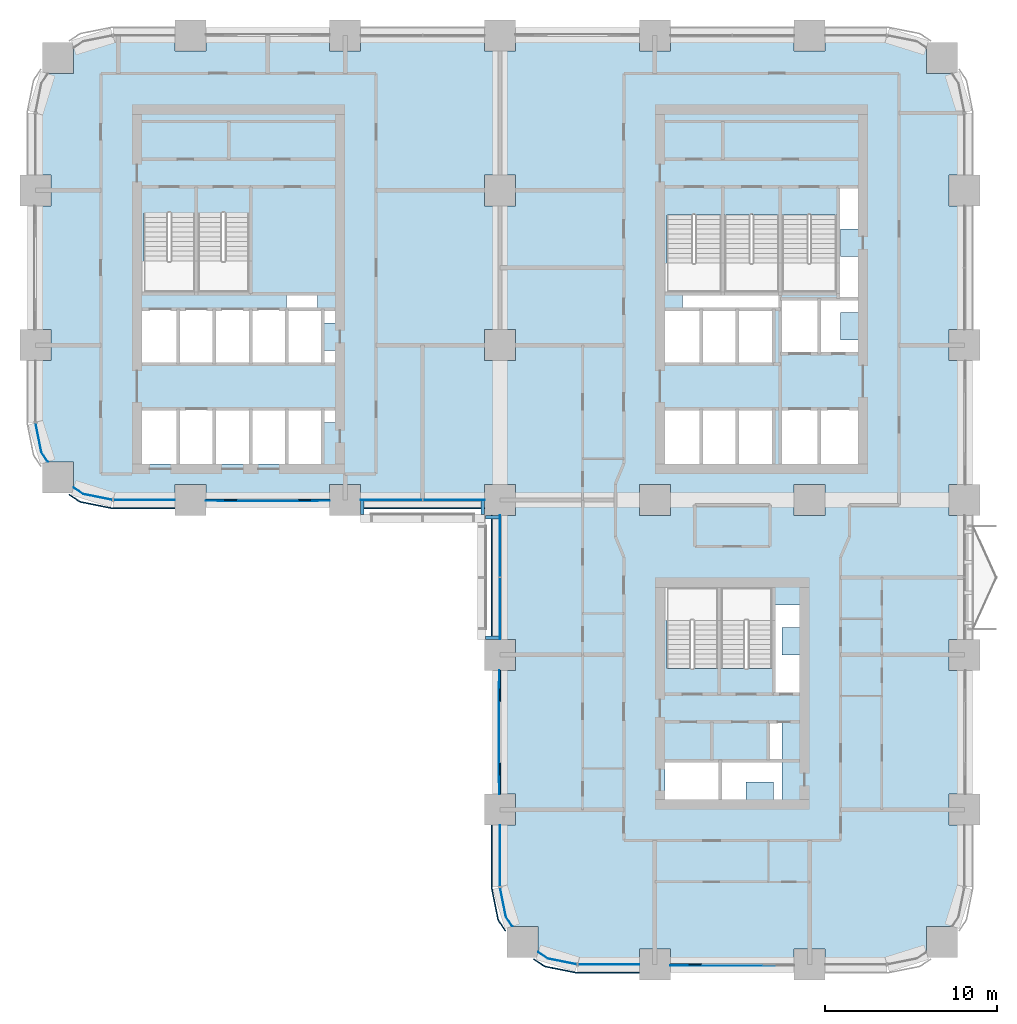
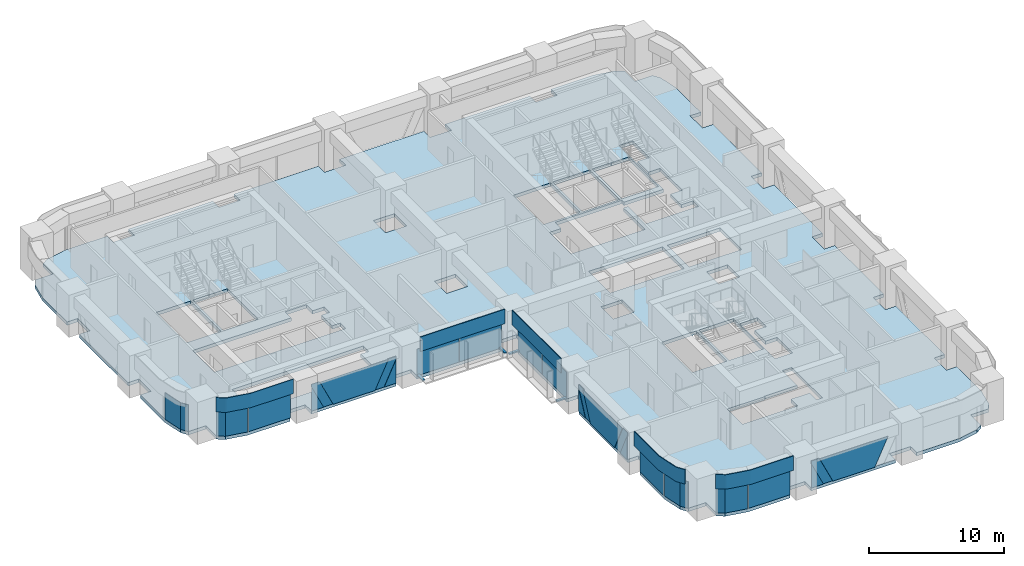
# One storey, part 9 of 18: 29 plates, 4 beams, 1 slab, 9 elements without a shape of their own.
"""IFC4 building model written with IfcOpenShell, lengths in metres."""

from ifc_helpers import new_model, si_unit, direction, frame, origin, origin_2d, place, context, subcontext, project, spatial, polyline, rectangle, outline, extrude, material, layer, layer_set, material_profile, profile_set, type_object, element, aggregate, save


model = new_model("IFC4")

# Units and contexts
model_context = context("Model", 3, precision=1e-05, world=origin(), true_north=direction((0.0, 1.0)))
body_context = subcontext(model_context, "Body", "Model", "MODEL_VIEW")
ifc_project = project(units=[si_unit("LENGTHUNIT", "METRE"), si_unit("AREAUNIT", "SQUARE_METRE"), si_unit("VOLUMEUNIT", "CUBIC_METRE"), si_unit("PLANEANGLEUNIT", "RADIAN"), si_unit("MASSUNIT", "GRAM", prefix="KILO")], contexts=[model_context])

# Site, building, storey
site_placement = place(None, origin())
site = spatial("IfcSite", under=ifc_project, at=site_placement, CompositionType="ELEMENT")
building_placement = place(site_placement, origin())
building = spatial("IfcBuilding", under=site, at=building_placement, Name="Tessera Arch", CompositionType="ELEMENT")
storey_placement = place(building_placement, frame((0.0, 0.0, 104.39990234375)))
storey = spatial("IfcBuildingStorey", under=building, at=storey_placement, Name="L24", CompositionType="ELEMENT", Elevation=104.39990234375)

# Beams
ifc_material_1 = material(Name="Aluminium alloy 6063-T6", Category="aluminium")
ifc_material_profile = material_profile(ifc_material_1, rectangle(XDim=0.199951171875, YDim=0.1201171875, at=origin_2d()), Name="AL 200x120")
ifc_profile_set = profile_set([ifc_material_profile], Name="Aluminium alloy 6063-T6")
beam_type = type_object("IfcBeamType", Name="Screen seat beam", PredefinedType="BEAM", material=ifc_profile_set)
for number, where, z_axis, x_axis, name in (
    (1, (18.9990234375, 27.0, 0.06005859375), (0.0, -1.0, 0.0), (1.0, 0.0, 0.0), "Screen seat beam"),
    (2, (26.0009765625, 27.0, 0.06005859375), (0.0, -1.0, 0.0), (1.0, 0.0, 0.0), "Screen seat beam"),
    (3, (27.0, 26.0009765625, 0.06005859375), (-1.0, 0.0, 0.0), (0.0, -1.0, 0.0), "Screen seat beam"),
    (4, (27.0, 18.9990234375, 0.06005859375), (-1.0, 0.0, 0.0), (0.0, -1.0, 0.0), "Screen seat beam"),
):
    element("IfcBeam", number, at=place(storey_placement, frame(where, z_axis=z_axis, x_axis=x_axis)), inside=storey, type_object=beam_type, Name=name, PredefinedType="BEAM", context=body_context, shape_type="SweptSolid", body=[
        extrude(rectangle(XDim=0.199951171875, YDim=0.1201171875, at=origin_2d()), origin(), (0.0, 0.0, 1.0), 0.85009765625),
    ])

# Curtain wall, plates
ifc_material_2 = material(Name="CW1 curtain wall")
curtain_wall_type_1 = type_object("IfcCurtainWallType", Name="CW1 curtain wall", PredefinedType="NOTDEFINED", material=ifc_material_2)
curtain_wall_1_placement = place(storey_placement, origin())
curtain_wall_1 = element("IfcCurtainWall", 5, at=curtain_wall_1_placement, inside=storey, type_object=curtain_wall_type_1, Name="CW1 curtain wall S27.0/2 L24", PredefinedType="NOTDEFINED")
ifc_material_3 = material(Name="Clear low-e glass", Category="glass")
ifc_material_4 = material(Name="Clear low-e glass", Category="glass")
ifc_layer_1 = layer(ifc_material_4, 0.028076171875)
ifc_layer_set_1 = layer_set([ifc_layer_1], Name="CW1 glass panel")
plate_type_1 = type_object("IfcPlateType", Name="CW1 glass panel", PredefinedType="CURTAIN_PANEL", material=ifc_layer_set_1)
plate_1_placement = place(storey_placement, frame((20.68505859375, 27.0, 0.000244140625), z_axis=(0.0, 0.0, 1.0), x_axis=(1.0, 0.0, 0.0)))
plate_1 = element("IfcPlate", 6, at=plate_1_placement, type_object=plate_type_1, material=ifc_material_3, Name="CW1 glass panel S27.0/2 1.1.1", PredefinedType="CURTAIN_PANEL", context=body_context, shape_type="SweptSolid", body=[
    extrude(rectangle(XDim=3.570068359375, YDim=0.028076171875, at=origin_2d()), origin(), (0.0, 0.0, 1.0), 2.39990234375),
])
plate_2_placement = place(storey_placement, frame((24.31494140625, 27.0, 0.000244140625), z_axis=(0.0, 0.0, 1.0), x_axis=(1.0, 0.0, 0.0)))
plate_2 = element("IfcPlate", 7, at=plate_2_placement, type_object=plate_type_1, material=ifc_material_3, Name="CW1 glass panel S27.0/2 1.2.1", PredefinedType="CURTAIN_PANEL", context=body_context, shape_type="SweptSolid", body=[
    extrude(rectangle(XDim=3.570068359375, YDim=0.028076171875, at=origin_2d()), origin(), (0.0, 0.0, 1.0), 2.39990234375),
])

curtain_wall_2_placement = place(storey_placement, origin())
curtain_wall_2 = element("IfcCurtainWall", 8, at=curtain_wall_2_placement, inside=storey, type_object=curtain_wall_type_1, Name="CW1 curtain wall W27.0/0 L24", PredefinedType="NOTDEFINED")
plate_3_placement = place(storey_placement, frame((27.0, 24.31494140625, 0.000244140625), z_axis=(0.0, 0.0, 1.0), x_axis=(0.0, -1.0, 0.0)))
plate_3 = element("IfcPlate", 9, at=plate_3_placement, type_object=plate_type_1, material=ifc_material_3, Name="CW1 glass panel W27.0/0 1.1.1", PredefinedType="CURTAIN_PANEL", context=body_context, shape_type="SweptSolid", body=[
    extrude(rectangle(XDim=3.570068359375, YDim=0.028076171875, at=origin_2d()), origin(), (0.0, 0.0, 1.0), 2.39990234375),
])
plate_4_placement = place(storey_placement, frame((27.0, 20.68505859375, 0.000244140625), z_axis=(0.0, 0.0, 1.0), x_axis=(0.0, -1.0, 0.0)))
plate_4 = element("IfcPlate", 10, at=plate_4_placement, type_object=plate_type_1, material=ifc_material_3, Name="CW1 glass panel W27.0/0 1.2.1", PredefinedType="CURTAIN_PANEL", context=body_context, shape_type="SweptSolid", body=[
    extrude(rectangle(XDim=3.570068359375, YDim=0.028076171875, at=origin_2d()), origin(), (0.0, 0.0, 1.0), 2.39990234375),
])

# Plate
ifc_material_5 = material(Name="Pale anodised aluminium panel", Category="aluminium")
ifc_layer_2 = layer(ifc_material_5, 0.06005859375)
ifc_layer_set_2 = layer_set([ifc_layer_2], Name="CW1 spandrel panel")
plate_type_2 = type_object("IfcPlateType", Name="CW1 spandrel panel", PredefinedType="CURTAIN_PANEL", material=ifc_layer_set_2)
plate_5_placement = place(storey_placement, frame((22.5, 26.52001953125, 2.5), z_axis=(0.0, 0.0, 1.0), x_axis=(1.0, 0.0, 0.0)))
plate_5 = element("IfcPlate", 11, at=plate_5_placement, type_object=plate_type_2, Name="CW1 spandrel panel S27.0/2", PredefinedType="CURTAIN_PANEL", context=body_context, shape_type="SweptSolid", body=[
    extrude(rectangle(XDim=7.199951171875, YDim=0.06005859375, at=origin_2d()), origin(), (0.0, 0.0, 1.0), 1.300048828125),
])

aggregate(curtain_wall_1, [plate_1, plate_2, plate_5])

plate_6_placement = place(storey_placement, frame((26.52001953125, 22.5, 2.5), z_axis=(0.0, 0.0, 1.0), x_axis=(0.0, -1.0, 0.0)))
plate_6 = element("IfcPlate", 12, at=plate_6_placement, type_object=plate_type_2, Name="CW1 spandrel panel W27.0/0", PredefinedType="CURTAIN_PANEL", context=body_context, shape_type="SweptSolid", body=[
    extrude(rectangle(XDim=7.199951171875, YDim=0.06005859375, at=origin_2d()), origin(), (0.0, 0.0, 1.0), 1.300048828125),
])

aggregate(curtain_wall_2, [plate_3, plate_4, plate_6])

# Curtain wall, plate
ifc_material_6 = material(Name="CW2 curtain wall")
curtain_wall_type_2 = type_object("IfcCurtainWallType", Name="CW2 curtain wall", PredefinedType="NOTDEFINED", material=ifc_material_6)
curtain_wall_3_placement = place(storey_placement, origin())
curtain_wall_3 = element("IfcCurtainWall", 13, at=curtain_wall_3_placement, inside=storey, type_object=curtain_wall_type_2, Name="CW2 curtain wall W0.27/2 L24", PredefinedType="NOTDEFINED")
ifc_material_7 = material(Name="Clear low-e glass", Category="glass")
ifc_layer_3 = layer(ifc_material_7, 0.028076171875)
ifc_layer_set_3 = layer_set([ifc_layer_3], Name="CW2 glass panel")
plate_type_3 = type_object("IfcPlateType", Name="CW2 glass panel", PredefinedType="CURTAIN_PANEL", material=ifc_layer_set_3)
plate_7_placement = place(storey_placement, origin())
plate_7 = element("IfcPlate", 14, at=plate_7_placement, type_object=plate_type_3, material=ifc_material_3, Name="CW2 curved glass panel W0.27/2 2.1", PredefinedType="CURTAIN_PANEL", context=body_context, shape_type="SweptSolid", body=[
    extrude(outline(polyline([(0.355712890625, 29.783447265625), (0.021484375, 31.46337890625), (-0.005859375, 31.4580078125), (0.329345703125, 29.7724609375), (0.705078125, 29.210205078125), (0.728271484375, 29.225830078125), (0.355712890625, 29.783447265625)])), origin(), (0.0, 0.0, 1.0), 2.400146484375),
])
aggregate(curtain_wall_3, [plate_7])

# Curtain wall, plates
curtain_wall_4_placement = place(storey_placement, origin())
curtain_wall_4 = element("IfcCurtainWall", 15, at=curtain_wall_4_placement, inside=storey, type_object=curtain_wall_type_2, Name="CW2 curtain wall S27.0/0 L24", PredefinedType="NOTDEFINED")
plate_8_placement = place(storey_placement, frame((6.320068359375, 27.0, 0.000244140625), z_axis=(0.0, 0.0, 1.0), x_axis=(1.0, 0.0, 0.0)))
plate_8 = element("IfcPlate", 16, at=plate_8_placement, type_object=plate_type_3, material=ifc_material_3, Name="CW2 glass panel S27.0/0 1.1", PredefinedType="CURTAIN_PANEL", context=body_context, shape_type="SweptSolid", body=[
    extrude(rectangle(XDim=3.56005859375, YDim=0.028076171875, at=origin_2d()), origin(), (0.0, 0.0, 1.0), 2.39990234375),
])
plate_9_placement = place(storey_placement, origin())
plate_9 = element("IfcPlate", 17, at=plate_9_placement, type_object=plate_type_3, material=ifc_material_3, Name="CW2 curved glass panel S27.0/0 2.1", PredefinedType="CURTAIN_PANEL", context=body_context, shape_type="SweptSolid", body=[
    extrude(outline(polyline([(2.783447265625, 27.355712890625), (2.225830078125, 27.728271484375), (2.210205078125, 27.705078125), (2.7724609375, 27.329345703125), (4.4580078125, 26.994140625), (4.46337890625, 27.021484375), (2.783447265625, 27.355712890625)])), origin(), (0.0, 0.0, 1.0), 2.400146484375),
])

curtain_wall_5_placement = place(storey_placement, origin())
curtain_wall_5 = element("IfcCurtainWall", 18, at=curtain_wall_5_placement, inside=storey, type_object=curtain_wall_type_2, Name="CW2 curtain wall W27.0/2 L24", PredefinedType="NOTDEFINED")
plate_10_placement = place(storey_placement, frame((27.0, 6.320068359375, 0.000244140625), z_axis=(0.0, 0.0, 1.0), x_axis=(0.0, -1.0, 0.0)))
plate_10 = element("IfcPlate", 19, at=plate_10_placement, type_object=plate_type_3, material=ifc_material_3, Name="CW2 glass panel W27.0/2 1.1", PredefinedType="CURTAIN_PANEL", context=body_context, shape_type="SweptSolid", body=[
    extrude(rectangle(XDim=3.56005859375, YDim=0.028076171875, at=origin_2d()), origin(), (0.0, 0.0, 1.0), 2.39990234375),
])
plate_11_placement = place(storey_placement, origin())
plate_11 = element("IfcPlate", 20, at=plate_11_placement, type_object=plate_type_3, material=ifc_material_3, Name="CW2 curved glass panel W27.0/2 2.1", PredefinedType="CURTAIN_PANEL", context=body_context, shape_type="SweptSolid", body=[
    extrude(outline(polyline([(27.355712890625, 2.783447265625), (27.021484375, 4.46337890625), (26.994140625, 4.4580078125), (27.329345703125, 2.7724609375), (27.705078125, 2.210205078125), (27.728271484375, 2.225830078125), (27.355712890625, 2.783447265625)])), origin(), (0.0, 0.0, 1.0), 2.400146484375),
])

curtain_wall_6_placement = place(storey_placement, origin())
curtain_wall_6 = element("IfcCurtainWall", 21, at=curtain_wall_6_placement, inside=storey, type_object=curtain_wall_type_2, Name="CW2 curtain wall S0.27/0 L24", PredefinedType="NOTDEFINED")
plate_12_placement = place(storey_placement, frame((33.320068359375, 0.0, 0.000244140625), z_axis=(0.0, 0.0, 1.0), x_axis=(1.0, 0.0, 0.0)))
plate_12 = element("IfcPlate", 22, at=plate_12_placement, type_object=plate_type_3, material=ifc_material_3, Name="CW2 glass panel S0.27/0 1.1", PredefinedType="CURTAIN_PANEL", context=body_context, shape_type="SweptSolid", body=[
    extrude(rectangle(XDim=3.56005859375, YDim=0.028076171875, at=origin_2d()), origin(), (0.0, 0.0, 1.0), 2.39990234375),
])
plate_13_placement = place(storey_placement, origin())
plate_13 = element("IfcPlate", 23, at=plate_13_placement, type_object=plate_type_3, material=ifc_material_3, Name="CW2 curved glass panel S0.27/0 2.1", PredefinedType="CURTAIN_PANEL", context=body_context, shape_type="SweptSolid", body=[
    extrude(outline(polyline([(29.783447265625, 0.355712890625), (29.225830078125, 0.728271484375), (29.210205078125, 0.705078125), (29.7724609375, 0.329345703125), (31.4580078125, -0.005859375), (31.46337890625, 0.021484375), (29.783447265625, 0.355712890625)])), origin(), (0.0, 0.0, 1.0), 2.400146484375),
])

# Plate
ifc_material_8 = material(Name="Pale anodised aluminium panel", Category="aluminium")
ifc_layer_4 = layer(ifc_material_8, 0.06005859375)
ifc_layer_set_4 = layer_set([ifc_layer_4], Name="CW2 spandrel panel")
plate_type_4 = type_object("IfcPlateType", Name="CW2 spandrel panel", PredefinedType="CURTAIN_PANEL", material=ifc_layer_set_4)
plate_14_placement = place(storey_placement, frame((0.0, 0.0, 2.5)))
plate_14 = element("IfcPlate", 24, at=plate_14_placement, type_object=plate_type_4, Name="CW2 spandrel panel S27.0/0", PredefinedType="CURTAIN_PANEL", context=body_context, shape_type="SweptSolid", body=[
    extrude(outline(polyline([(2.52734375, 26.96875), (1.968017578125, 27.342529296875), (1.9345703125, 27.292724609375), (2.4951171875, 26.91796875), (2.537353515625, 26.892822265625), (2.582763671875, 26.871337890625), (2.6298828125, 26.8544921875), (2.677734375, 26.842529296875), (4.401123046875, 26.499755859375), (4.449951171875, 26.492431640625), (4.499267578125, 26.489990234375), (8.10009765625, 26.489990234375), (8.10009765625, 26.550048828125), (4.500732421875, 26.550048828125), (4.455810546875, 26.55224609375), (4.411376953125, 26.558837890625), (2.69091796875, 26.90087890625), (2.647216796875, 26.911865234375), (2.605712890625, 26.9267578125), (2.565673828125, 26.94580078125), (2.52734375, 26.96875)])), origin(), (0.0, 0.0, 1.0), 1.300048828125),
])

aggregate(curtain_wall_4, [plate_8, plate_9, plate_14])

plate_15_placement = place(storey_placement, frame((0.0, 0.0, 2.5)))
plate_15 = element("IfcPlate", 25, at=plate_15_placement, type_object=plate_type_4, Name="CW2 spandrel panel W27.0/2", PredefinedType="CURTAIN_PANEL", context=body_context, shape_type="SweptSolid", body=[
    extrude(outline(polyline([(26.550048828125, 4.500732421875), (26.550048828125, 8.10009765625), (26.489990234375, 8.10009765625), (26.489990234375, 4.499267578125), (26.492431640625, 4.449951171875), (26.499755859375, 4.401123046875), (26.842529296875, 2.677734375), (26.8544921875, 2.6298828125), (26.871337890625, 2.582763671875), (26.892822265625, 2.537353515625), (26.91796875, 2.4951171875), (27.292724609375, 1.9345703125), (27.342529296875, 1.968017578125), (26.96875, 2.52734375), (26.94580078125, 2.565673828125), (26.9267578125, 2.605712890625), (26.911865234375, 2.647216796875), (26.90087890625, 2.69091796875), (26.558837890625, 4.411376953125), (26.55224609375, 4.455810546875), (26.550048828125, 4.500732421875)])), origin(), (0.0, 0.0, 1.0), 1.300048828125),
])

aggregate(curtain_wall_5, [plate_10, plate_11, plate_15])

plate_16_placement = place(storey_placement, frame((0.0, 0.0, 2.5)))
plate_16 = element("IfcPlate", 26, at=plate_16_placement, type_object=plate_type_4, Name="CW2 spandrel panel S0.27/0", PredefinedType="CURTAIN_PANEL", context=body_context, shape_type="SweptSolid", body=[
    extrude(outline(polyline([(29.52734375, -0.03125), (28.968017578125, 0.342529296875), (28.9345703125, 0.292724609375), (29.4951171875, -0.08203125), (29.537353515625, -0.107177734375), (29.582763671875, -0.128662109375), (29.6298828125, -0.1455078125), (29.677734375, -0.157470703125), (31.401123046875, -0.500244140625), (31.449951171875, -0.507568359375), (31.499267578125, -0.510009765625), (35.10009765625, -0.510009765625), (35.10009765625, -0.449951171875), (31.500732421875, -0.449951171875), (31.455810546875, -0.44775390625), (31.411376953125, -0.441162109375), (29.69091796875, -0.09912109375), (29.647216796875, -0.088134765625), (29.605712890625, -0.0732421875), (29.565673828125, -0.05419921875), (29.52734375, -0.03125)])), origin(), (0.0, 0.0, 1.0), 1.300048828125),
])

aggregate(curtain_wall_6, [plate_12, plate_13, plate_16])

# Curtain wall, plates
ifc_material_9 = material(Name="CW3 curtain wall")
curtain_wall_type_3 = type_object("IfcCurtainWallType", Name="CW3 curtain wall", PredefinedType="NOTDEFINED", material=ifc_material_9)
curtain_wall_7_placement = place(storey_placement, origin())
curtain_wall_7 = element("IfcCurtainWall", 27, at=curtain_wall_7_placement, inside=storey, type_object=curtain_wall_type_3, Name="CW3 curtain wall S27.0/1 L24", PredefinedType="NOTDEFINED")
ifc_material_10 = material(Name="Pale anodised aluminium panel", Category="aluminium")
ifc_layer_5 = layer(ifc_material_10, 0.06005859375)
ifc_layer_set_5 = layer_set([ifc_layer_5], Name="CW3 diagonal panel")
plate_type_5 = type_object("IfcPlateType", Name="CW3 diagonal panel", PredefinedType="CURTAIN_PANEL", material=ifc_layer_set_5)
plate_17_placement = place(storey_placement, frame((17.10009765625, 26.969970703125, 2.400146484375), z_axis=(0.0, -1.0, 0.0), x_axis=(-1.0, 0.0, 0.0)))
plate_17 = element("IfcPlate", 28, at=plate_17_placement, type_object=plate_type_5, Name="CW3 diagonal panel S27.0/1 1", PredefinedType="CURTAIN_PANEL", context=body_context, shape_type="SweptSolid", body=[
    extrude(outline(polyline([(0.0, 0.0), (0.683349609375, 0.0), (1.8203125, 2.400146484375), (1.02197265625, 2.400146484375), (0.0, 0.24267578125), (0.0, 0.0)])), origin(), (0.0, 0.0, -1.0), 0.06005859375),
])
plate_18_placement = place(storey_placement, frame((9.89990234375, 26.969970703125, 2.400146484375), z_axis=(0.0, -1.0, 0.0), x_axis=(0.0, 0.0, -1.0)))
plate_18 = element("IfcPlate", 29, at=plate_18_placement, type_object=plate_type_5, Name="CW3 diagonal panel S27.0/1 2", PredefinedType="CURTAIN_PANEL", context=body_context, shape_type="SweptSolid", body=[
    extrude(outline(polyline([(0.0, 0.0), (0.24267578125, 0.0), (2.400146484375, 1.02197265625), (2.400146484375, 1.8203125), (0.0, 0.683349609375), (0.0, 0.0)])), origin(), (0.0, 0.0, -1.0), 0.06005859375),
])

curtain_wall_8_placement = place(storey_placement, origin())
curtain_wall_8 = element("IfcCurtainWall", 30, at=curtain_wall_8_placement, inside=storey, type_object=curtain_wall_type_3, Name="CW3 curtain wall W27.0/1 L24", PredefinedType="NOTDEFINED")
plate_19_placement = place(storey_placement, frame((26.969970703125, 9.89990234375, 2.400146484375), z_axis=(-1.0, 0.0, 0.0), x_axis=(0.0, 1.0, 0.0)))
plate_19 = element("IfcPlate", 31, at=plate_19_placement, type_object=plate_type_5, Name="CW3 diagonal panel W27.0/1 1", PredefinedType="CURTAIN_PANEL", context=body_context, shape_type="SweptSolid", body=[
    extrude(outline(polyline([(0.0, 0.0), (0.683349609375, 0.0), (1.8203125, 2.400146484375), (1.02197265625, 2.400146484375), (0.0, 0.24267578125), (0.0, 0.0)])), origin(), (0.0, 0.0, -1.0), 0.06005859375),
])
plate_20_placement = place(storey_placement, frame((26.969970703125, 17.10009765625, 2.400146484375), z_axis=(-1.0, 0.0, 0.0), x_axis=(0.0, 0.0, -1.0)))
plate_20 = element("IfcPlate", 32, at=plate_20_placement, type_object=plate_type_5, Name="CW3 diagonal panel W27.0/1 2", PredefinedType="CURTAIN_PANEL", context=body_context, shape_type="SweptSolid", body=[
    extrude(outline(polyline([(0.0, 0.0), (0.24267578125, 0.0), (2.400146484375, 1.02197265625), (2.400146484375, 1.8203125), (0.0, 0.683349609375), (0.0, 0.0)])), origin(), (0.0, 0.0, -1.0), 0.06005859375),
])

# Curtain wall, plate
curtain_wall_9_placement = place(storey_placement, origin())
curtain_wall_9 = element("IfcCurtainWall", 33, at=curtain_wall_9_placement, inside=storey, type_object=curtain_wall_type_3, Name="CW3 curtain wall S0.27/1 L24", PredefinedType="NOTDEFINED")
plate_21_placement = place(storey_placement, frame((36.89990234375, -0.030029296875, 2.400146484375), z_axis=(0.0, -1.0, 0.0), x_axis=(0.0, 0.0, -1.0)))
plate_21 = element("IfcPlate", 34, at=plate_21_placement, type_object=plate_type_5, Name="CW3 diagonal panel S0.27/1 2", PredefinedType="CURTAIN_PANEL", context=body_context, shape_type="SweptSolid", body=[
    extrude(outline(polyline([(0.0, 0.0), (0.24267578125, 0.0), (2.400146484375, 1.02197265625), (2.400146484375, 1.8203125), (0.0, 0.683349609375), (0.0, 0.0)])), origin(), (0.0, 0.0, -1.0), 0.06005859375),
])

# Plate
ifc_material_11 = material(Name="Clear low-e glass", Category="glass")
ifc_layer_6 = layer(ifc_material_11, 0.028076171875)
ifc_layer_set_6 = layer_set([ifc_layer_6], Name="CW3 glass panel")
plate_type_6 = type_object("IfcPlateType", Name="CW3 glass panel", PredefinedType="CURTAIN_PANEL", material=ifc_layer_set_6)
plate_22_placement = place(storey_placement, frame((9.89990234375, 26.94189453125, 0.0), z_axis=(0.0, -1.0, 0.0), x_axis=(1.0, 0.0, 0.0)))
plate_22 = element("IfcPlate", 35, at=plate_22_placement, type_object=plate_type_6, material=ifc_material_3, Name="CW3 triangulated glass panel S27.0/1 1", PredefinedType="CURTAIN_PANEL", context=body_context, shape_type="SweptSolid", body=[
    extrude(outline(polyline([(0.0, 0.0), (1.02197265625, 0.0), (0.0, 2.157470703125), (0.0, 0.0)])), origin(), (0.0, 0.0, -1.0), 0.028076171875),
])

plate_23_placement = place(storey_placement, frame((16.416748046875, 26.9140625, 2.400146484375), z_axis=(0.0, -1.0, 0.0), x_axis=(-1.0, 0.0, 0.0)))
plate_23 = element("IfcPlate", 36, at=plate_23_placement, type_object=plate_type_6, material=ifc_material_3, Name="CW3 triangulated glass panel S27.0/1 2", PredefinedType="CURTAIN_PANEL", context=body_context, shape_type="SweptSolid", body=[
    extrude(outline(polyline([(0.0, 0.0), (5.83349609375, 0.0), (4.696533203125, 2.400146484375), (1.136962890625, 2.400146484375), (0.0, 0.0)])), origin(), (0.0, 0.0, -1.0), 0.028076171875),
])

plate_24_placement = place(storey_placement, frame((17.10009765625, 26.94189453125, 0.0), z_axis=(0.0, -1.0, 0.0), x_axis=(0.0, 0.0, 1.0)))
plate_24 = element("IfcPlate", 37, at=plate_24_placement, type_object=plate_type_6, material=ifc_material_3, Name="CW3 triangulated glass panel S27.0/1 3", PredefinedType="CURTAIN_PANEL", context=body_context, shape_type="SweptSolid", body=[
    extrude(outline(polyline([(0.0, 0.0), (2.157470703125, 0.0), (0.0, 1.02197265625), (0.0, 0.0)])), origin(), (0.0, 0.0, -1.0), 0.028076171875),
])

aggregate(curtain_wall_7, [plate_22, plate_23, plate_24, plate_17, plate_18])

plate_25_placement = place(storey_placement, frame((26.94189453125, 17.10009765625, 0.0), z_axis=(-1.0, 0.0, 0.0), x_axis=(0.0, -1.0, 0.0)))
plate_25 = element("IfcPlate", 38, at=plate_25_placement, type_object=plate_type_6, material=ifc_material_3, Name="CW3 triangulated glass panel W27.0/1 1", PredefinedType="CURTAIN_PANEL", context=body_context, shape_type="SweptSolid", body=[
    extrude(outline(polyline([(0.0, 0.0), (1.02197265625, 0.0), (0.0, 2.157470703125), (0.0, 0.0)])), origin(), (0.0, 0.0, -1.0), 0.028076171875),
])

plate_26_placement = place(storey_placement, frame((26.9140625, 10.583251953125, 2.400146484375), z_axis=(-1.0, 0.0, 0.0), x_axis=(0.0, 1.0, 0.0)))
plate_26 = element("IfcPlate", 39, at=plate_26_placement, type_object=plate_type_6, material=ifc_material_3, Name="CW3 triangulated glass panel W27.0/1 2", PredefinedType="CURTAIN_PANEL", context=body_context, shape_type="SweptSolid", body=[
    extrude(outline(polyline([(0.0, 0.0), (5.83349609375, 0.0), (4.696533203125, 2.400146484375), (1.136962890625, 2.400146484375), (0.0, 0.0)])), origin(), (0.0, 0.0, -1.0), 0.028076171875),
])

plate_27_placement = place(storey_placement, frame((26.94189453125, 9.89990234375, 0.0), z_axis=(-1.0, 0.0, 0.0), x_axis=(0.0, 0.0, 1.0)))
plate_27 = element("IfcPlate", 40, at=plate_27_placement, type_object=plate_type_6, material=ifc_material_3, Name="CW3 triangulated glass panel W27.0/1 3", PredefinedType="CURTAIN_PANEL", context=body_context, shape_type="SweptSolid", body=[
    extrude(outline(polyline([(0.0, 0.0), (2.157470703125, 0.0), (0.0, 1.02197265625), (0.0, 0.0)])), origin(), (0.0, 0.0, -1.0), 0.028076171875),
])

aggregate(curtain_wall_8, [plate_25, plate_26, plate_27, plate_19, plate_20])

plate_28_placement = place(storey_placement, frame((36.89990234375, -0.05810546875, 0.0), z_axis=(0.0, -1.0, 0.0), x_axis=(1.0, 0.0, 0.0)))
plate_28 = element("IfcPlate", 41, at=plate_28_placement, type_object=plate_type_6, material=ifc_material_3, Name="CW3 triangulated glass panel S0.27/1 1", PredefinedType="CURTAIN_PANEL", context=body_context, shape_type="SweptSolid", body=[
    extrude(outline(polyline([(0.0, 0.0), (1.02197265625, 0.0), (0.0, 2.157470703125), (0.0, 0.0)])), origin(), (0.0, 0.0, -1.0), 0.028076171875),
])

plate_29_placement = place(storey_placement, frame((43.416748046875, -0.0859375, 2.400146484375), z_axis=(0.0, -1.0, 0.0), x_axis=(-1.0, 0.0, 0.0)))
plate_29 = element("IfcPlate", 42, at=plate_29_placement, type_object=plate_type_6, material=ifc_material_3, Name="CW3 triangulated glass panel S0.27/1 2", PredefinedType="CURTAIN_PANEL", context=body_context, shape_type="SweptSolid", body=[
    extrude(outline(polyline([(0.0, 0.0), (5.83349609375, 0.0), (4.696533203125, 2.400146484375), (1.136962890625, 2.400146484375), (0.0, 0.0)])), origin(), (0.0, 0.0, -1.0), 0.028076171875),
])

aggregate(curtain_wall_9, [plate_28, plate_29, plate_21])

# Slab
ifc_material_12 = material(Name="Concrete C40/50", Category="concrete")
ifc_layer_7 = layer(ifc_material_12, 0.300048828125)
ifc_layer_set_7 = layer_set([ifc_layer_7], Name="Floor slab 300 Concrete C40/50")
slab_type = type_object("IfcSlabType", Name="Floor slab 300 Concrete C40/50", PredefinedType="FLOOR", material=ifc_layer_set_7)
slab_placement = place(storey_placement, frame((0.0, 0.0, -0.2998046875)))
element("IfcSlab", 43, at=slab_placement, inside=storey, type_object=slab_type, Name="Floor slab L24 1", PredefinedType="FLOOR", context=body_context, shape_type="SweptSolid", body=[
    extrude(outline(polyline([(49.5, 54.0), (51.22216796875, 53.657470703125), (51.781982421875, 53.283447265625), (51.781982421875, 51.781982421875), (53.283447265625, 51.781982421875), (53.657470703125, 51.22216796875), (54.0, 49.5), (54.0, 45.89990234375), (53.10009765625, 45.89990234375), (53.10009765625, 44.10009765625), (54.0, 44.10009765625), (54.0, 36.89990234375), (53.10009765625, 36.89990234375), (53.10009765625, 35.10009765625), (54.0, 35.10009765625), (54.0, 27.89990234375), (53.10009765625, 27.89990234375), (53.10009765625, 26.10009765625), (54.0, 26.10009765625), (54.0, 18.89990234375), (53.10009765625, 18.89990234375), (53.10009765625, 17.10009765625), (54.0, 17.10009765625), (54.0, 9.89990234375), (53.10009765625, 9.89990234375), (53.10009765625, 8.10009765625), (54.0, 8.10009765625), (54.0, 4.5), (53.657470703125, 2.77783203125), (53.283447265625, 2.218017578125), (51.781982421875, 2.218017578125), (51.781982421875, 0.716552734375), (51.22216796875, 0.342529296875), (49.5, 0.0), (45.89990234375, 0.0), (45.89990234375, 0.89990234375), (44.10009765625, 0.89990234375), (44.10009765625, 0.0), (36.89990234375, 0.0), (36.89990234375, 0.89990234375), (35.10009765625, 0.89990234375), (35.10009765625, 0.0), (31.5, 0.0), (29.77783203125, 0.342529296875), (29.218017578125, 0.716552734375), (29.218017578125, 2.218017578125), (27.716552734375, 2.218017578125), (27.342529296875, 2.77783203125), (27.0, 4.5), (27.0, 8.10009765625), (27.89990234375, 8.10009765625), (27.89990234375, 9.89990234375), (27.0, 9.89990234375), (27.0, 17.10009765625), (27.89990234375, 17.10009765625), (27.89990234375, 18.89990234375), (27.0, 18.89990234375), (27.0, 26.10009765625), (27.89990234375, 26.10009765625), (27.89990234375, 27.89990234375), (26.10009765625, 27.89990234375), (26.10009765625, 27.0), (18.89990234375, 27.0), (18.89990234375, 27.89990234375), (17.10009765625, 27.89990234375), (17.10009765625, 27.0), (9.89990234375, 27.0), (9.89990234375, 27.89990234375), (8.10009765625, 27.89990234375), (8.10009765625, 27.0), (4.5, 27.0), (2.77783203125, 27.342529296875), (2.218017578125, 27.716552734375), (2.218017578125, 29.218017578125), (0.716552734375, 29.218017578125), (0.342529296875, 29.77783203125), (0.0, 31.5), (0.0, 35.10009765625), (0.89990234375, 35.10009765625), (0.89990234375, 36.89990234375), (0.0, 36.89990234375), (0.0, 44.10009765625), (0.89990234375, 44.10009765625), (0.89990234375, 45.89990234375), (0.0, 45.89990234375), (0.0, 49.5), (0.342529296875, 51.22216796875), (0.716552734375, 51.781982421875), (2.218017578125, 51.781982421875), (2.218017578125, 53.283447265625), (2.77783203125, 53.657470703125), (4.5, 54.0), (8.10009765625, 54.0), (8.10009765625, 53.10009765625), (9.89990234375, 53.10009765625), (9.89990234375, 54.0), (17.10009765625, 54.0), (17.10009765625, 53.10009765625), (18.89990234375, 53.10009765625), (18.89990234375, 54.0), (26.10009765625, 54.0), (26.10009765625, 53.10009765625), (27.89990234375, 53.10009765625), (27.89990234375, 54.0), (35.10009765625, 54.0), (35.10009765625, 53.10009765625), (36.89990234375, 53.10009765625), (36.89990234375, 54.0), (44.10009765625, 54.0), (44.10009765625, 53.10009765625), (45.89990234375, 53.10009765625), (45.89990234375, 54.0), (49.5, 54.0)]), holes=[polyline([(6.199951171875, 32.300048828125), (6.199951171875, 29.10009765625), (8.300048828125, 29.10009765625), (10.39990234375, 29.10009765625), (12.5, 29.10009765625), (14.60009765625, 29.10009765625), (16.699951171875, 29.10009765625), (16.699951171875, 31.5), (17.39990234375, 31.5), (17.39990234375, 32.300048828125), (16.699951171875, 32.300048828125), (14.60009765625, 32.300048828125), (12.5, 32.300048828125), (10.39990234375, 32.300048828125), (8.300048828125, 32.300048828125), (6.199951171875, 32.300048828125)]), polyline([(14.60009765625, 34.89990234375), (16.699951171875, 34.89990234375), (17.39990234375, 34.89990234375), (17.39990234375, 35.699951171875), (16.699951171875, 35.699951171875), (16.699951171875, 37.300048828125), (17.39990234375, 37.300048828125), (17.39990234375, 38.10009765625), (16.699951171875, 38.10009765625), (16.39990234375, 38.10009765625), (16.39990234375, 39.0), (14.60009765625, 39.0), (14.60009765625, 38.10009765625), (12.5, 38.10009765625), (10.39990234375, 38.10009765625), (8.300048828125, 38.10009765625), (6.199951171875, 38.10009765625), (6.199951171875, 34.89990234375), (8.300048828125, 34.89990234375), (10.39990234375, 34.89990234375), (12.5, 34.89990234375), (14.60009765625, 34.89990234375)]), polyline([(11.0, 43.699951171875), (10.85009765625, 43.699951171875), (10.85009765625, 43.68994140625), (9.449951171875, 43.68994140625), (9.449951171875, 39.199951171875), (12.39990234375, 39.199951171875), (12.39990234375, 43.68994140625), (11.0, 43.68994140625), (11.0, 43.699951171875)]), polyline([(7.85009765625, 43.699951171875), (7.699951171875, 43.699951171875), (7.699951171875, 43.68994140625), (6.300048828125, 43.68994140625), (6.300048828125, 39.199951171875), (9.25, 39.199951171875), (9.25, 43.68994140625), (7.85009765625, 43.68994140625), (7.85009765625, 43.699951171875)]), polyline([(43.39990234375, 9.60009765625), (43.39990234375, 11.89990234375), (43.39990234375, 14.10009765625), (42.60009765625, 14.10009765625), (42.60009765625, 11.89990234375), (39.800048828125, 11.89990234375), (39.800048828125, 11.85009765625), (36.60009765625, 11.85009765625), (36.60009765625, 9.60009765625), (39.800048828125, 9.60009765625), (41.300048828125, 9.60009765625), (41.300048828125, 10.60009765625), (42.89990234375, 10.60009765625), (42.89990234375, 9.60009765625), (43.39990234375, 9.60009765625)]), polyline([(41.25, 17.199951171875), (41.39990234375, 17.199951171875), (41.39990234375, 17.2099609375), (42.800048828125, 17.2099609375), (42.800048828125, 21.699951171875), (39.85009765625, 21.699951171875), (39.85009765625, 17.2099609375), (41.25, 17.2099609375), (41.25, 17.199951171875)]), polyline([(38.10009765625, 17.199951171875), (38.25, 17.199951171875), (38.25, 17.2099609375), (39.64990234375, 17.2099609375), (39.64990234375, 21.699951171875), (36.699951171875, 21.699951171875), (36.699951171875, 17.2099609375), (38.10009765625, 17.2099609375), (38.10009765625, 17.199951171875)]), polyline([(35.10009765625, 26.10009765625), (36.89990234375, 26.10009765625), (36.89990234375, 27.89990234375), (35.10009765625, 27.89990234375), (35.10009765625, 26.10009765625)]), polyline([(38.699951171875, 29.10009765625), (40.800048828125, 29.10009765625), (42.89990234375, 29.10009765625), (42.89990234375, 32.300048828125), (40.800048828125, 32.300048828125), (38.699951171875, 32.300048828125), (36.60009765625, 32.300048828125), (36.60009765625, 29.10009765625), (38.699951171875, 29.10009765625)]), polyline([(26.10009765625, 35.10009765625), (27.89990234375, 35.10009765625), (27.89990234375, 36.89990234375), (26.10009765625, 36.89990234375), (26.10009765625, 35.10009765625)]), polyline([(43.300048828125, 39.0), (37.60009765625, 39.0), (37.60009765625, 38.10009765625), (36.60009765625, 38.10009765625), (36.60009765625, 34.89990234375), (38.699951171875, 34.89990234375), (40.800048828125, 34.89990234375), (42.89990234375, 34.89990234375), (42.89990234375, 38.10009765625), (43.300048828125, 38.10009765625), (43.300048828125, 35.5), (45.550048828125, 35.5), (47.800048828125, 35.5), (47.800048828125, 36.300048828125), (46.800048828125, 36.300048828125), (46.800048828125, 37.89990234375), (47.800048828125, 37.89990234375), (47.800048828125, 38.699951171875), (47.800048828125, 41.14990234375), (46.800048828125, 41.14990234375), (46.800048828125, 42.75), (47.800048828125, 42.75), (47.800048828125, 45.199951171875), (46.64990234375, 45.199951171875), (46.64990234375, 38.699951171875), (45.550048828125, 38.699951171875), (43.300048828125, 38.699951171875), (43.300048828125, 39.0)]), polyline([(38.330078125, 43.580078125), (38.219970703125, 43.580078125), (38.219970703125, 43.570068359375), (36.699951171875, 43.570068359375), (36.699951171875, 39.199951171875), (39.85009765625, 39.199951171875), (39.85009765625, 43.570068359375), (38.330078125, 43.570068359375), (38.330078125, 43.580078125)]), polyline([(26.10009765625, 44.10009765625), (27.89990234375, 44.10009765625), (27.89990234375, 45.89990234375), (26.10009765625, 45.89990234375), (26.10009765625, 44.10009765625)]), polyline([(42.89990234375, 15.699951171875), (44.39990234375, 15.699951171875), (44.39990234375, 18.0), (43.39990234375, 18.0), (43.39990234375, 19.60009765625), (44.39990234375, 19.60009765625), (44.39990234375, 20.89990234375), (42.89990234375, 20.89990234375), (42.89990234375, 15.699951171875)]), polyline([(44.10009765625, 26.10009765625), (45.89990234375, 26.10009765625), (45.89990234375, 27.89990234375), (44.10009765625, 27.89990234375), (44.10009765625, 26.10009765625)]), polyline([(45.550048828125, 29.10009765625), (47.800048828125, 29.10009765625), (47.800048828125, 32.300048828125), (45.550048828125, 32.300048828125), (43.300048828125, 32.300048828125), (43.300048828125, 29.10009765625), (45.550048828125, 29.10009765625)]), polyline([(45.030029296875, 43.580078125), (44.919921875, 43.580078125), (44.919921875, 43.570068359375), (43.39990234375, 43.570068359375), (43.39990234375, 39.199951171875), (46.550048828125, 39.199951171875), (46.550048828125, 43.570068359375), (45.030029296875, 43.570068359375), (45.030029296875, 43.580078125)]), polyline([(41.679931640625, 43.580078125), (41.570068359375, 43.580078125), (41.570068359375, 43.570068359375), (40.050048828125, 43.570068359375), (40.050048828125, 39.199951171875), (43.199951171875, 39.199951171875), (43.199951171875, 43.570068359375), (41.679931640625, 43.570068359375), (41.679931640625, 43.580078125)])]), origin(), (0.0, 0.0, 1.0), 0.2998046875),
])

save(model, "model.ifc")
